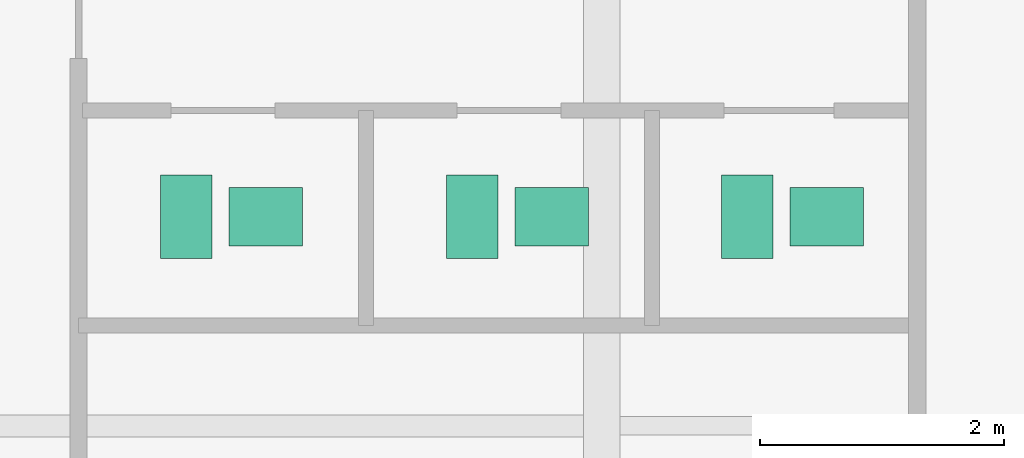
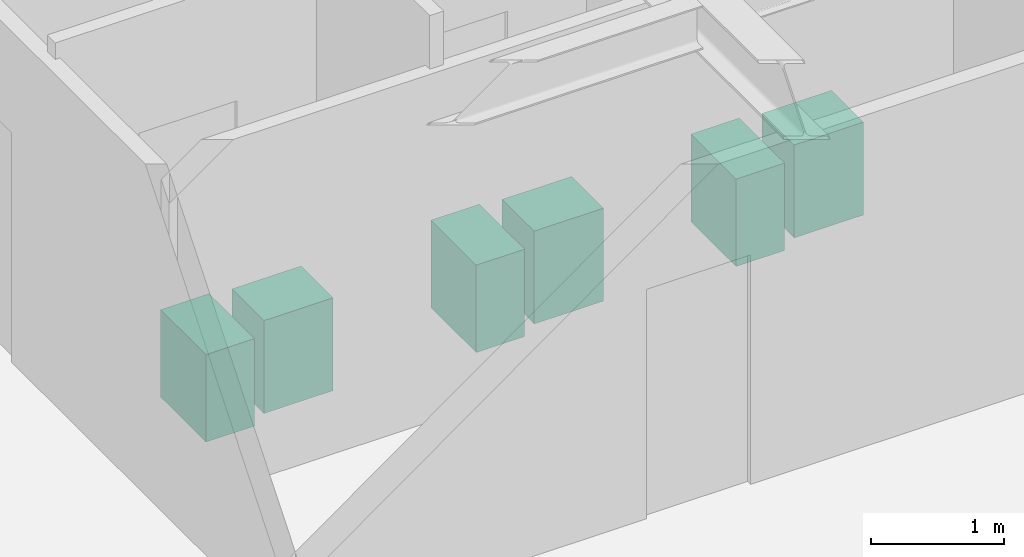
# One storey, part 24 of 24: 6 sanitary terminals.
"""IFC4 building model written with IfcOpenShell, lengths in metres."""

from ifc_helpers import new_model, si_unit, direction, frame, origin, origin_2d, place, context, subcontext, project, spatial, rectangle, extrude, source, transform, mapped, material, type_object, type_shapes, element, save


model = new_model("IFC4")

# Units and contexts
model_context = context("Model", 3, precision=1e-05, world=origin(), true_north=direction((0.0, 1.0)))
body_context = subcontext(model_context, "Body", "Model", "MODEL_VIEW")
ifc_project = project(units=[si_unit("LENGTHUNIT", "METRE"), si_unit("AREAUNIT", "SQUARE_METRE"), si_unit("VOLUMEUNIT", "CUBIC_METRE"), si_unit("PLANEANGLEUNIT", "RADIAN"), si_unit("MASSUNIT", "GRAM", prefix="KILO")], contexts=[model_context])

# Site, building, storey
site_placement = place(None, origin())
site = spatial("IfcSite", under=ifc_project, at=site_placement, CompositionType="ELEMENT")
building_placement = place(site_placement, origin())
building = spatial("IfcBuilding", under=site, at=building_placement, Name="Krantzveldt Concourse Tower", CompositionType="ELEMENT")
storey_placement = place(building_placement, frame((0.0, 0.0, 242.85009765625)))
storey = spatial("IfcBuildingStorey", under=building, at=storey_placement, Name="L59", CompositionType="ELEMENT", Elevation=242.85009765625)

# Sanitary terminals
ifc_material = material(Name="Vitreous china", Category="ceramic")
sanitary_terminal_type_1 = type_object("IfcSanitaryTerminalType", Name="SAN-WC-SUITE", PredefinedType="TOILETPAN", material=ifc_material)
shared_shape_1 = source(origin(), body_context, "Body", "SweptSolid", [
    extrude(rectangle(XDim=0.419921875, YDim=0.679931640625, at=origin_2d()), origin(), (0.0, 0.0, 1.0), 0.800048828125),
])
type_shapes(sanitary_terminal_type_1, [shared_shape_1])
for number, where, z_axis, x_axis, name in (
    (1, (38.0, 31.909912109375, 0.0), (0.0, 0.0, 1.0), (1.0, 0.0, 0.0), "WC-SP-L59-WCM"),
    (2, (40.340087890625, 31.909912109375, 0.0), (0.0, 0.0, 1.0), (1.0, 0.0, 0.0), "WC-SP-L59-WCF"),
    (3, (42.590087890625, 31.909912109375, 0.0), (0.0, 0.0, 1.0), (1.0, 0.0, 0.0), "WC-SP-L59-WCA"),
):
    element("IfcSanitaryTerminal", number, at=place(storey_placement, frame(where, z_axis=z_axis, x_axis=x_axis)), inside=storey, type_object=sanitary_terminal_type_1, Name=name, PredefinedType="TOILETPAN", context=body_context, shape_type="MappedRepresentation", body=[
        mapped(shared_shape_1, transform((0.0, 0.0, 0.0), x_axis=(1.0, 0.0, 0.0), y_axis=(0.0, 1.0, 0.0), z_axis=(0.0, 0.0, 1.0), scale=1.0)),
    ])
sanitary_terminal_type_2 = type_object("IfcSanitaryTerminalType", Name="SAN-BASIN-600", PredefinedType="WASHHANDBASIN", material=ifc_material)
shared_shape_2 = source(origin(), body_context, "Body", "SweptSolid", [
    extrude(rectangle(XDim=0.60009765625, YDim=0.47998046875, at=origin_2d()), origin(), (0.0, 0.0, 1.0), 0.85009765625),
])
type_shapes(sanitary_terminal_type_2, [shared_shape_2])
for number, where, z_axis, x_axis, name in (
    (4, (38.64990234375, 31.909912109375, 0.0048828125), (0.0, 0.0, 1.0), (1.0, 0.0, 0.0), "BSN-SP-L59-WCM"),
    (5, (40.989990234375, 31.909912109375, 0.0048828125), (0.0, 0.0, 1.0), (1.0, 0.0, 0.0), "BSN-SP-L59-WCF"),
    (6, (43.239990234375, 31.909912109375, 0.0048828125), (0.0, 0.0, 1.0), (1.0, 0.0, 0.0), "BSN-SP-L59-WCA"),
):
    element("IfcSanitaryTerminal", number, at=place(storey_placement, frame(where, z_axis=z_axis, x_axis=x_axis)), inside=storey, type_object=sanitary_terminal_type_2, Name=name, PredefinedType="WASHHANDBASIN", context=body_context, shape_type="MappedRepresentation", body=[
        mapped(shared_shape_2, transform((0.0, 0.0, 0.0), x_axis=(1.0, 0.0, 0.0), y_axis=(0.0, 1.0, 0.0), z_axis=(0.0, 0.0, 1.0), scale=1.0)),
    ])

save(model, "model.ifc")
